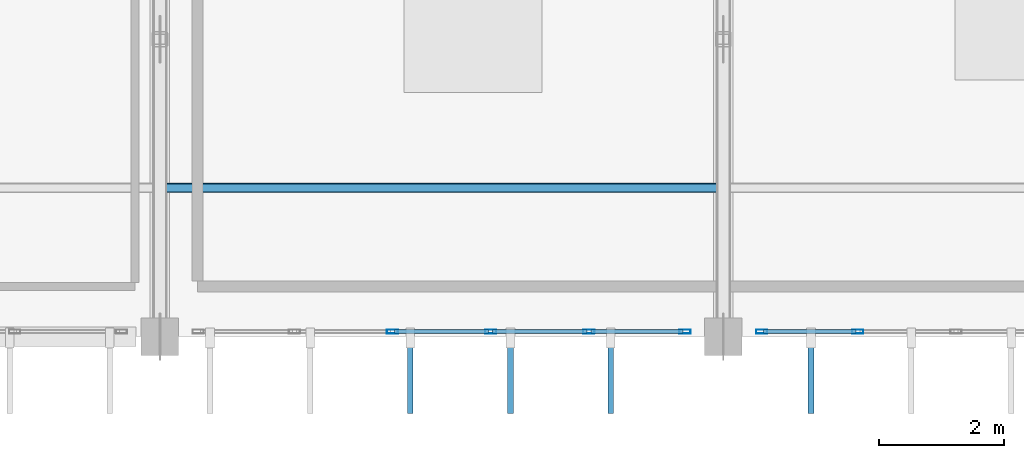
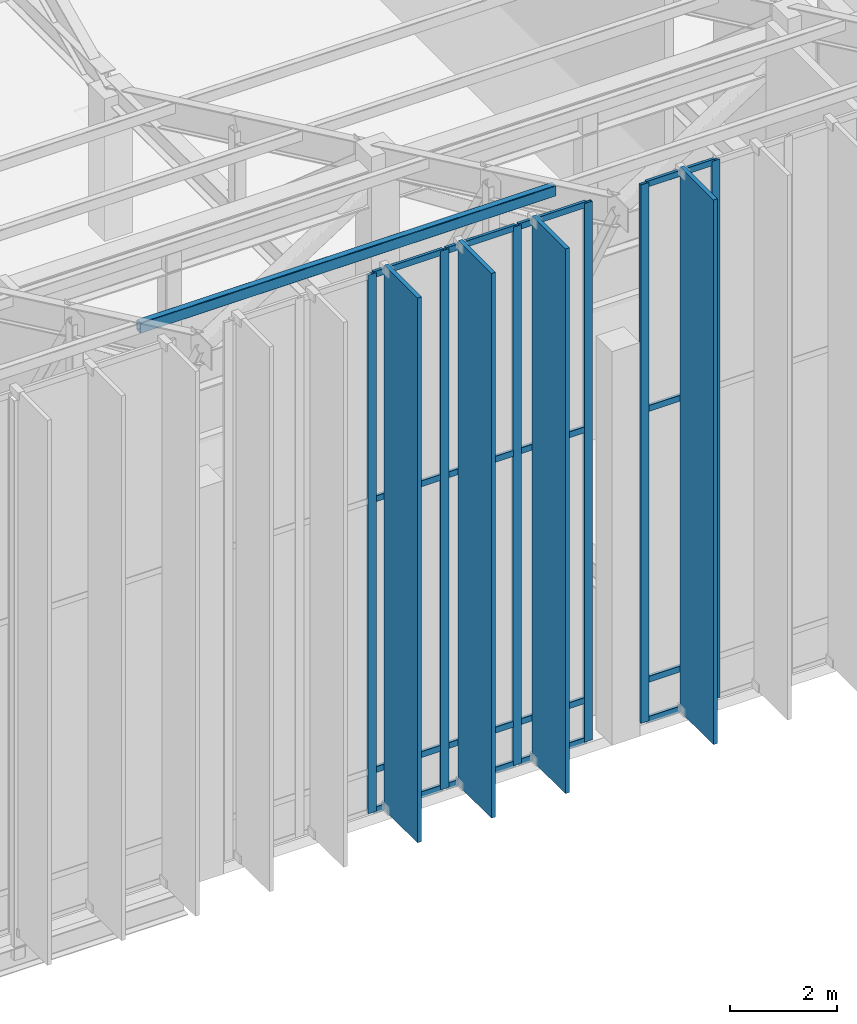
# One storey, part 12 of 68: 27 members, 2 elements without a shape of their own.
"""IFC4 building model written with IfcOpenShell, lengths in metres."""

from ifc_helpers import new_model, si_unit, direction, frame, origin, origin_2d, place, context, subcontext, project, spatial, rectangle, hollow_rectangle, extrude, material, material_profile, profile_set, type_object, element, aggregate, save


model = new_model("IFC4")

# Units and contexts
model_context = context("Model", 3, precision=1e-05, world=origin(), true_north=direction((0.0, 1.0)))
body_context = subcontext(model_context, "Body", "Model", "MODEL_VIEW")
ifc_project = project(units=[si_unit("LENGTHUNIT", "METRE"), si_unit("AREAUNIT", "SQUARE_METRE"), si_unit("VOLUMEUNIT", "CUBIC_METRE"), si_unit("PLANEANGLEUNIT", "RADIAN"), si_unit("MASSUNIT", "GRAM", prefix="KILO")], contexts=[model_context])

# Site, building, storey
site_placement = place(None, origin())
site = spatial("IfcSite", under=ifc_project, at=site_placement, CompositionType="ELEMENT")
building_placement = place(site_placement, origin())
building = spatial("IfcBuilding", under=site, at=building_placement, Name="Miravela Opera House", CompositionType="ELEMENT")
storey_placement = place(building_placement, frame((0.0, 0.0, 21.760009765625)))
storey = spatial("IfcBuildingStorey", under=building, at=storey_placement, Name="L05", CompositionType="ELEMENT", Elevation=21.760009765625)

# Curtain wall, members
ifc_material_1 = material(Name="Anodised architectural bronze aluminium 6063-T6", Category="aluminium")
curtain_wall_type = type_object("IfcCurtainWallType", Name="ARC-CW-03", PredefinedType="NOTDEFINED", material=ifc_material_1)
curtain_wall_1_placement = place(storey_placement, origin())
curtain_wall_1 = element("IfcCurtainWall", 1, at=curtain_wall_1_placement, inside=storey, type_object=curtain_wall_type, Name="Auditorium South Wrapper Glazing CW-L05-060", PredefinedType="NOTDEFINED")
ifc_material_profile_1 = material_profile(ifc_material_1, hollow_rectangle(XDim=0.06494140625, YDim=0.179931640625, WallThickness=0.00390625, InnerFilletRadius=0.001953125, OuterFilletRadius=0.00390625, at=origin_2d()), Name="CWM-65X180")
ifc_profile_set_1 = profile_set([ifc_material_profile_1])
member_type_1 = type_object("IfcMemberType", Name="ARC-CWM-180", PredefinedType="MULLION", material=ifc_profile_set_1)
member_1_placement = place(storey_placement, frame((30.716064453125, 37.080078125, 0.0), z_axis=(0.0, 0.0, 1.0), x_axis=(0.0, 1.0, 0.0)))
member_1 = element("IfcMember", 2, at=member_1_placement, type_object=member_type_1, Name="CW-03 mullion 3", PredefinedType="MULLION", context=body_context, shape_type="SweptSolid", body=[
    extrude(hollow_rectangle(XDim=0.06494140625, YDim=0.179931640625, WallThickness=0.00390625, InnerFilletRadius=0.001953125, OuterFilletRadius=0.00390625, at=origin_2d()), origin(), (0.0, 0.0, 1.0), 12.31005859375),
])
member_2_placement = place(storey_placement, frame((32.283935546875, 37.080078125, 0.0), z_axis=(0.0, 0.0, 1.0), x_axis=(0.0, 1.0, 0.0)))
member_2 = element("IfcMember", 3, at=member_2_placement, type_object=member_type_1, Name="CW-03 mullion 4", PredefinedType="MULLION", context=body_context, shape_type="SweptSolid", body=[
    extrude(hollow_rectangle(XDim=0.06494140625, YDim=0.179931640625, WallThickness=0.00390625, InnerFilletRadius=0.001953125, OuterFilletRadius=0.00390625, at=origin_2d()), origin(), (0.0, 0.0, 1.0), 12.31005859375),
])
member_3_placement = place(storey_placement, frame((33.85205078125, 37.080078125, 0.0), z_axis=(0.0, 0.0, 1.0), x_axis=(0.0, 1.0, 0.0)))
member_3 = element("IfcMember", 4, at=member_3_placement, type_object=member_type_1, Name="CW-03 mullion 5", PredefinedType="MULLION", context=body_context, shape_type="SweptSolid", body=[
    extrude(hollow_rectangle(XDim=0.06494140625, YDim=0.179931640625, WallThickness=0.00390625, InnerFilletRadius=0.001953125, OuterFilletRadius=0.00390625, at=origin_2d()), origin(), (0.0, 0.0, 1.0), 12.31005859375),
])
member_4_placement = place(storey_placement, frame((35.387451171875, 37.080078125, 0.0), z_axis=(0.0, 0.0, 1.0), x_axis=(0.0, 1.0, 0.0)))
member_4 = element("IfcMember", 5, at=member_4_placement, type_object=member_type_1, Name="CW-03 mullion 6", PredefinedType="MULLION", context=body_context, shape_type="SweptSolid", body=[
    extrude(hollow_rectangle(XDim=0.06494140625, YDim=0.179931640625, WallThickness=0.00390625, InnerFilletRadius=0.001953125, OuterFilletRadius=0.00390625, at=origin_2d()), origin(), (0.0, 0.0, 1.0), 12.31005859375),
])

curtain_wall_2_placement = place(storey_placement, origin())
curtain_wall_2 = element("IfcCurtainWall", 6, at=curtain_wall_2_placement, inside=storey, type_object=curtain_wall_type, Name="Auditorium South Wrapper Glazing CW-L05-062", PredefinedType="NOTDEFINED")
member_5_placement = place(storey_placement, frame((36.612548828125, 37.080078125, 0.0), z_axis=(0.0, 0.0, 1.0), x_axis=(0.0, 1.0, 0.0)))
member_5 = element("IfcMember", 7, at=member_5_placement, type_object=member_type_1, Name="CW-03 mullion 1", PredefinedType="MULLION", context=body_context, shape_type="SweptSolid", body=[
    extrude(hollow_rectangle(XDim=0.06494140625, YDim=0.179931640625, WallThickness=0.00390625, InnerFilletRadius=0.001953125, OuterFilletRadius=0.00390625, at=origin_2d()), origin(), (0.0, 0.0, 1.0), 12.31005859375),
])
member_6_placement = place(storey_placement, frame((38.14794921875, 37.080078125, 0.0), z_axis=(0.0, 0.0, 1.0), x_axis=(0.0, 1.0, 0.0)))
member_6 = element("IfcMember", 8, at=member_6_placement, type_object=member_type_1, Name="CW-03 mullion 2", PredefinedType="MULLION", context=body_context, shape_type="SweptSolid", body=[
    extrude(hollow_rectangle(XDim=0.06494140625, YDim=0.179931640625, WallThickness=0.00390625, InnerFilletRadius=0.001953125, OuterFilletRadius=0.00390625, at=origin_2d()), origin(), (0.0, 0.0, 1.0), 12.31005859375),
])

# Member
ifc_material_profile_2 = material_profile(ifc_material_1, hollow_rectangle(XDim=0.06494140625, YDim=0.139892578125, WallThickness=0.00390625, InnerFilletRadius=0.001953125, OuterFilletRadius=0.00390625, at=origin_2d()), Name="CWT-65X140")
ifc_profile_set_2 = profile_set([ifc_material_profile_2])
member_type_2 = type_object("IfcMemberType", Name="ARC-CWT-140", PredefinedType="USERDEFINED", material=ifc_profile_set_2)
member_7_placement = place(storey_placement, frame((30.74853515625, 37.080078125, 0.032470703125), z_axis=(1.0, 0.0, 0.0), x_axis=(0.0, 1.0, 0.0)))
member_7 = element("IfcMember", 9, at=member_7_placement, type_object=member_type_2, Name="CW-03 transom 3.1", ObjectType="TRANSOM", PredefinedType="USERDEFINED", context=body_context, shape_type="SweptSolid", body=[
    extrude(hollow_rectangle(XDim=0.06494140625, YDim=0.139892578125, WallThickness=0.00390625, InnerFilletRadius=0.001953125, OuterFilletRadius=0.00390625, at=origin_2d()), origin(), (0.0, 0.0, 1.0), 1.5029296875),
])

member_8_placement = place(storey_placement, frame((30.74853515625, 37.080078125, 0.949951171875), z_axis=(1.0, 0.0, 0.0), x_axis=(0.0, 1.0, 0.0)))
member_8 = element("IfcMember", 10, at=member_8_placement, type_object=member_type_2, Name="CW-03 transom 3.2", ObjectType="TRANSOM", PredefinedType="USERDEFINED", context=body_context, shape_type="SweptSolid", body=[
    extrude(hollow_rectangle(XDim=0.06494140625, YDim=0.139892578125, WallThickness=0.00390625, InnerFilletRadius=0.001953125, OuterFilletRadius=0.00390625, at=origin_2d()), origin(), (0.0, 0.0, 1.0), 1.5029296875),
])

member_9_placement = place(storey_placement, frame((30.74853515625, 37.080078125, 7.139892578125), z_axis=(1.0, 0.0, 0.0), x_axis=(0.0, 1.0, 0.0)))
member_9 = element("IfcMember", 11, at=member_9_placement, type_object=member_type_2, Name="CW-03 transom 3.3", ObjectType="TRANSOM", PredefinedType="USERDEFINED", context=body_context, shape_type="SweptSolid", body=[
    extrude(hollow_rectangle(XDim=0.06494140625, YDim=0.139892578125, WallThickness=0.00390625, InnerFilletRadius=0.001953125, OuterFilletRadius=0.00390625, at=origin_2d()), origin(), (0.0, 0.0, 1.0), 1.5029296875),
])

member_10_placement = place(storey_placement, frame((30.74853515625, 37.080078125, 12.277587890625), z_axis=(1.0, 0.0, 0.0), x_axis=(0.0, 1.0, 0.0)))
member_10 = element("IfcMember", 12, at=member_10_placement, type_object=member_type_2, Name="CW-03 transom 3.4", ObjectType="TRANSOM", PredefinedType="USERDEFINED", context=body_context, shape_type="SweptSolid", body=[
    extrude(hollow_rectangle(XDim=0.06494140625, YDim=0.139892578125, WallThickness=0.00390625, InnerFilletRadius=0.001953125, OuterFilletRadius=0.00390625, at=origin_2d()), origin(), (0.0, 0.0, 1.0), 1.5029296875),
])

member_11_placement = place(storey_placement, frame((32.31640625, 37.080078125, 0.032470703125), z_axis=(1.0, 0.0, 0.0), x_axis=(0.0, 1.0, 0.0)))
member_11 = element("IfcMember", 13, at=member_11_placement, type_object=member_type_2, Name="CW-03 transom 4.1", ObjectType="TRANSOM", PredefinedType="USERDEFINED", context=body_context, shape_type="SweptSolid", body=[
    extrude(hollow_rectangle(XDim=0.06494140625, YDim=0.139892578125, WallThickness=0.00390625, InnerFilletRadius=0.001953125, OuterFilletRadius=0.00390625, at=origin_2d()), origin(), (0.0, 0.0, 1.0), 1.503173828125),
])

member_12_placement = place(storey_placement, frame((32.31640625, 37.080078125, 0.949951171875), z_axis=(1.0, 0.0, 0.0), x_axis=(0.0, 1.0, 0.0)))
member_12 = element("IfcMember", 14, at=member_12_placement, type_object=member_type_2, Name="CW-03 transom 4.2", ObjectType="TRANSOM", PredefinedType="USERDEFINED", context=body_context, shape_type="SweptSolid", body=[
    extrude(hollow_rectangle(XDim=0.06494140625, YDim=0.139892578125, WallThickness=0.00390625, InnerFilletRadius=0.001953125, OuterFilletRadius=0.00390625, at=origin_2d()), origin(), (0.0, 0.0, 1.0), 1.503173828125),
])

member_13_placement = place(storey_placement, frame((32.31640625, 37.080078125, 7.139892578125), z_axis=(1.0, 0.0, 0.0), x_axis=(0.0, 1.0, 0.0)))
member_13 = element("IfcMember", 15, at=member_13_placement, type_object=member_type_2, Name="CW-03 transom 4.3", ObjectType="TRANSOM", PredefinedType="USERDEFINED", context=body_context, shape_type="SweptSolid", body=[
    extrude(hollow_rectangle(XDim=0.06494140625, YDim=0.139892578125, WallThickness=0.00390625, InnerFilletRadius=0.001953125, OuterFilletRadius=0.00390625, at=origin_2d()), origin(), (0.0, 0.0, 1.0), 1.503173828125),
])

member_14_placement = place(storey_placement, frame((32.31640625, 37.080078125, 12.277587890625), z_axis=(1.0, 0.0, 0.0), x_axis=(0.0, 1.0, 0.0)))
member_14 = element("IfcMember", 16, at=member_14_placement, type_object=member_type_2, Name="CW-03 transom 4.4", ObjectType="TRANSOM", PredefinedType="USERDEFINED", context=body_context, shape_type="SweptSolid", body=[
    extrude(hollow_rectangle(XDim=0.06494140625, YDim=0.139892578125, WallThickness=0.00390625, InnerFilletRadius=0.001953125, OuterFilletRadius=0.00390625, at=origin_2d()), origin(), (0.0, 0.0, 1.0), 1.503173828125),
])

member_15_placement = place(storey_placement, frame((33.884521484375, 37.080078125, 0.032470703125), z_axis=(1.0, 0.0, 0.0), x_axis=(0.0, 1.0, 0.0)))
member_15 = element("IfcMember", 17, at=member_15_placement, type_object=member_type_2, Name="CW-03 transom 5.1", ObjectType="TRANSOM", PredefinedType="USERDEFINED", context=body_context, shape_type="SweptSolid", body=[
    extrude(hollow_rectangle(XDim=0.06494140625, YDim=0.139892578125, WallThickness=0.00390625, InnerFilletRadius=0.001953125, OuterFilletRadius=0.00390625, at=origin_2d()), origin(), (0.0, 0.0, 1.0), 1.470458984375),
])

member_16_placement = place(storey_placement, frame((33.884521484375, 37.080078125, 0.949951171875), z_axis=(1.0, 0.0, 0.0), x_axis=(0.0, 1.0, 0.0)))
member_16 = element("IfcMember", 18, at=member_16_placement, type_object=member_type_2, Name="CW-03 transom 5.2", ObjectType="TRANSOM", PredefinedType="USERDEFINED", context=body_context, shape_type="SweptSolid", body=[
    extrude(hollow_rectangle(XDim=0.06494140625, YDim=0.139892578125, WallThickness=0.00390625, InnerFilletRadius=0.001953125, OuterFilletRadius=0.00390625, at=origin_2d()), origin(), (0.0, 0.0, 1.0), 1.470458984375),
])

member_17_placement = place(storey_placement, frame((33.884521484375, 37.080078125, 7.139892578125), z_axis=(1.0, 0.0, 0.0), x_axis=(0.0, 1.0, 0.0)))
member_17 = element("IfcMember", 19, at=member_17_placement, type_object=member_type_2, Name="CW-03 transom 5.3", ObjectType="TRANSOM", PredefinedType="USERDEFINED", context=body_context, shape_type="SweptSolid", body=[
    extrude(hollow_rectangle(XDim=0.06494140625, YDim=0.139892578125, WallThickness=0.00390625, InnerFilletRadius=0.001953125, OuterFilletRadius=0.00390625, at=origin_2d()), origin(), (0.0, 0.0, 1.0), 1.470458984375),
])

member_18_placement = place(storey_placement, frame((33.884521484375, 37.080078125, 12.277587890625), z_axis=(1.0, 0.0, 0.0), x_axis=(0.0, 1.0, 0.0)))
member_18 = element("IfcMember", 20, at=member_18_placement, type_object=member_type_2, Name="CW-03 transom 5.4", ObjectType="TRANSOM", PredefinedType="USERDEFINED", context=body_context, shape_type="SweptSolid", body=[
    extrude(hollow_rectangle(XDim=0.06494140625, YDim=0.139892578125, WallThickness=0.00390625, InnerFilletRadius=0.001953125, OuterFilletRadius=0.00390625, at=origin_2d()), origin(), (0.0, 0.0, 1.0), 1.470458984375),
])

aggregate(curtain_wall_1, [member_1, member_2, member_3, member_4, member_7, member_8, member_9, member_10, member_11, member_12, member_13, member_14, member_15, member_16, member_17, member_18])

member_19_placement = place(storey_placement, frame((36.64501953125, 37.080078125, 0.032470703125), z_axis=(1.0, 0.0, 0.0), x_axis=(0.0, 1.0, 0.0)))
member_19 = element("IfcMember", 21, at=member_19_placement, type_object=member_type_2, Name="CW-03 transom 1.1", ObjectType="TRANSOM", PredefinedType="USERDEFINED", context=body_context, shape_type="SweptSolid", body=[
    extrude(hollow_rectangle(XDim=0.06494140625, YDim=0.139892578125, WallThickness=0.00390625, InnerFilletRadius=0.001953125, OuterFilletRadius=0.00390625, at=origin_2d()), origin(), (0.0, 0.0, 1.0), 1.470458984375),
])

member_20_placement = place(storey_placement, frame((36.64501953125, 37.080078125, 0.949951171875), z_axis=(1.0, 0.0, 0.0), x_axis=(0.0, 1.0, 0.0)))
member_20 = element("IfcMember", 22, at=member_20_placement, type_object=member_type_2, Name="CW-03 transom 1.2", ObjectType="TRANSOM", PredefinedType="USERDEFINED", context=body_context, shape_type="SweptSolid", body=[
    extrude(hollow_rectangle(XDim=0.06494140625, YDim=0.139892578125, WallThickness=0.00390625, InnerFilletRadius=0.001953125, OuterFilletRadius=0.00390625, at=origin_2d()), origin(), (0.0, 0.0, 1.0), 1.470458984375),
])

member_21_placement = place(storey_placement, frame((36.64501953125, 37.080078125, 7.139892578125), z_axis=(1.0, 0.0, 0.0), x_axis=(0.0, 1.0, 0.0)))
member_21 = element("IfcMember", 23, at=member_21_placement, type_object=member_type_2, Name="CW-03 transom 1.3", ObjectType="TRANSOM", PredefinedType="USERDEFINED", context=body_context, shape_type="SweptSolid", body=[
    extrude(hollow_rectangle(XDim=0.06494140625, YDim=0.139892578125, WallThickness=0.00390625, InnerFilletRadius=0.001953125, OuterFilletRadius=0.00390625, at=origin_2d()), origin(), (0.0, 0.0, 1.0), 1.470458984375),
])

member_22_placement = place(storey_placement, frame((36.64501953125, 37.080078125, 12.277587890625), z_axis=(1.0, 0.0, 0.0), x_axis=(0.0, 1.0, 0.0)))
member_22 = element("IfcMember", 24, at=member_22_placement, type_object=member_type_2, Name="CW-03 transom 1.4", ObjectType="TRANSOM", PredefinedType="USERDEFINED", context=body_context, shape_type="SweptSolid", body=[
    extrude(hollow_rectangle(XDim=0.06494140625, YDim=0.139892578125, WallThickness=0.00390625, InnerFilletRadius=0.001953125, OuterFilletRadius=0.00390625, at=origin_2d()), origin(), (0.0, 0.0, 1.0), 1.470458984375),
])

aggregate(curtain_wall_2, [member_5, member_6, member_19, member_20, member_21, member_22])

# Members
ifc_material_profile_3 = material_profile(ifc_material_1, rectangle(XDim=0.090087890625, YDim=1.25, at=origin_2d()), Name="FIN-1250X90")
ifc_profile_set_3 = profile_set([ifc_material_profile_3])
member_type_3 = type_object("IfcMemberType", Name="ARC-FIN-1250", PredefinedType="USERDEFINED", material=ifc_profile_set_3)
for number, where, z_axis, x_axis, name in (
    (25, (31.0, 36.39501953125, 0.0), (0.0, 0.0, 1.0), (1.0, 0.0, 0.0), "Auditorium Wrapper Bronze Solar Fin FIN-L05-SOUTH-0182"),
    (26, (32.60009765625, 36.39501953125, 0.0), (0.0, 0.0, 1.0), (1.0, 0.0, 0.0), "Auditorium Wrapper Bronze Solar Fin FIN-L05-SOUTH-0184"),
    (27, (34.199951171875, 36.39501953125, 0.0), (0.0, 0.0, 1.0), (1.0, 0.0, 0.0), "Auditorium Wrapper Bronze Solar Fin FIN-L05-SOUTH-0186"),
    (28, (37.39990234375, 36.39501953125, 0.0), (0.0, 0.0, 1.0), (1.0, 0.0, 0.0), "Auditorium Wrapper Bronze Solar Fin FIN-L05-SOUTH-0188"),
):
    element("IfcMember", number, at=place(storey_placement, frame(where, z_axis=z_axis, x_axis=x_axis)), inside=storey, type_object=member_type_3, Name=name, ObjectType="FIN", PredefinedType="USERDEFINED", context=body_context, shape_type="SweptSolid", body=[
        extrude(rectangle(XDim=0.090087890625, YDim=1.25, at=origin_2d()), origin(), (0.0, 0.0, 1.0), 12.449951171875),
    ])
ifc_material_2 = material(Name="Hollow structural steel ASTM A500 Gr. C", Category="steel")
ifc_material_profile_4 = material_profile(ifc_material_2, hollow_rectangle(XDim=0.14990234375, YDim=0.25, WallThickness=0.011962890625, InnerFilletRadius=0.011962890625, OuterFilletRadius=0.02392578125, at=origin_2d()), Name="HSS250X150X12")
ifc_profile_set_4 = profile_set([ifc_material_profile_4])
member_type_4 = type_object("IfcMemberType", Name="STR-MEM-PURLIN-1", PredefinedType="PURLIN", material=ifc_profile_set_4)
member_23_placement = place(storey_placement, frame((27.010009765625, 39.375, 10.994873046875), z_axis=(1.0, 0.0, 0.0), x_axis=(0.0, 1.0, 0.0)))
element("IfcMember", 29, at=member_23_placement, inside=storey, type_object=member_type_4, Name="V-Roof Steel Purlin B1.2", PredefinedType="PURLIN", context=body_context, shape_type="SweptSolid", body=[
    extrude(hollow_rectangle(XDim=0.14990234375, YDim=0.25, WallThickness=0.011962890625, InnerFilletRadius=0.011962890625, OuterFilletRadius=0.02392578125, at=origin_2d()), origin(), (0.0, 0.0, 1.0), 8.97998046875),
])

save(model, "model.ifc")
